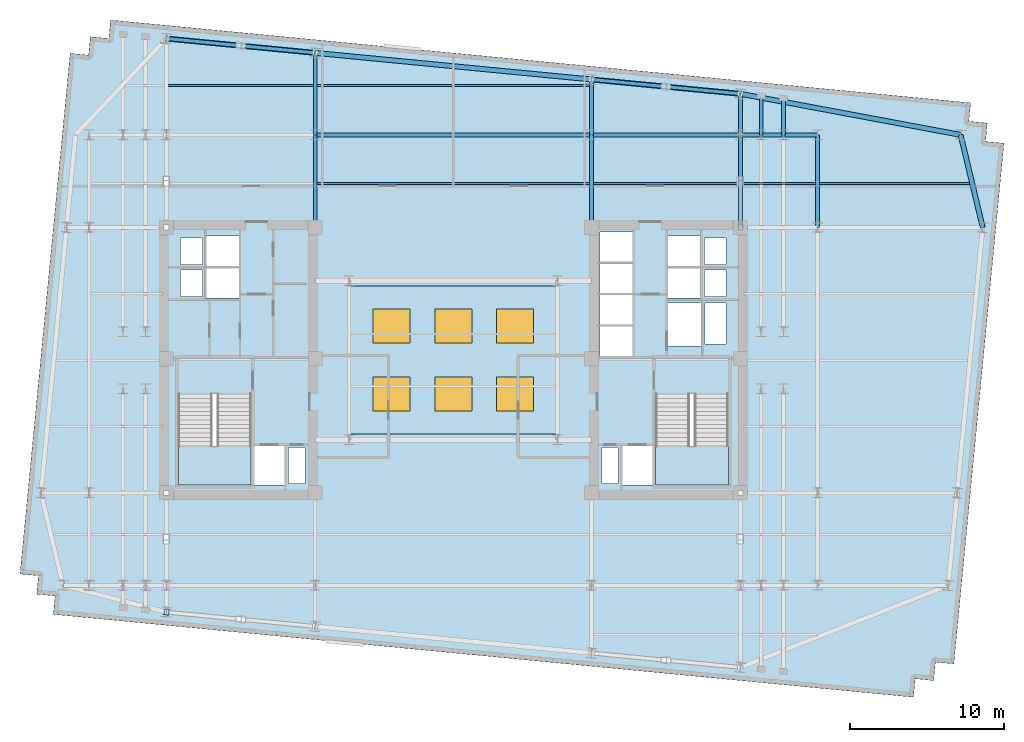
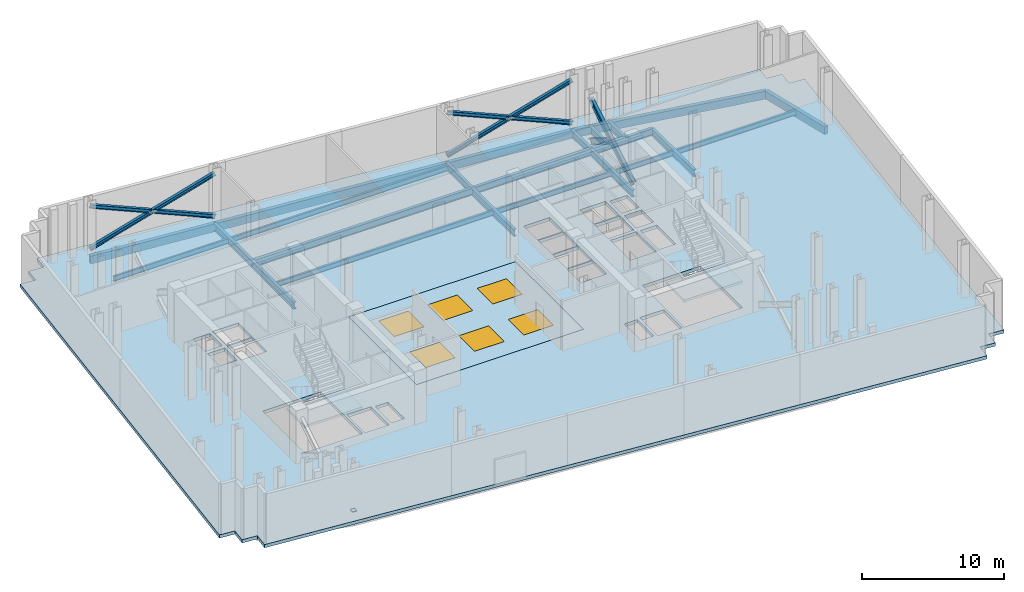
# One storey, part 3 of 8: 23 beams, 8 members, 6 windows, 4 slabs, 1 plate, 6 openings, 2 elements without a shape of their own.
"""IFC4 building model written with IfcOpenShell, lengths in metres."""

from ifc_helpers import new_model, si_unit, direction, frame, origin, origin_2d, place, context, subcontext, project, spatial, polyline, rectangle, i_section, outline, extrude, material, layer, layer_set, material_profile, profile_set, type_object, element, fill, aggregate, save


model = new_model("IFC4")

# Units and contexts
model_context = context("Model", 3, precision=1e-05, world=origin(), true_north=direction((0.0, 1.0)))
body_context = subcontext(model_context, "Body", "Model", "MODEL_VIEW")
ifc_project = project(units=[si_unit("LENGTHUNIT", "METRE"), si_unit("AREAUNIT", "SQUARE_METRE"), si_unit("VOLUMEUNIT", "CUBIC_METRE"), si_unit("PLANEANGLEUNIT", "RADIAN"), si_unit("MASSUNIT", "GRAM", prefix="KILO")], contexts=[model_context])

# Site, building, storey
site_placement = place(None, origin())
site = spatial("IfcSite", under=ifc_project, at=site_placement, CompositionType="ELEMENT")
building_placement = place(site_placement, origin())
building = spatial("IfcBuilding", under=site, at=building_placement, Name="Velakula Bourse", CompositionType="ELEMENT")
storey_placement = place(building_placement, frame((0.0, 0.0, 194.89990234375)))
storey = spatial("IfcBuildingStorey", under=building, at=storey_placement, Name="L53", CompositionType="ELEMENT", Elevation=194.89990234375)

# Beams
ifc_material_1 = material(Name="Steel IS 2062 Grade 350 (E350)", Category="steel")
ifc_material_profile_1 = material_profile(ifc_material_1, i_section(OverallWidth=0.25, OverallDepth=0.60009765625, WebThickness=0.01123046875, FlangeThickness=0.021240234375, at=origin_2d()), Name="Steel IS 2062 Grade 350 (E350)")
ifc_profile_set_1 = profile_set([ifc_material_profile_1], Name="Steel IS 2062 Grade 350 (E350)")
beam_type_1 = type_object("IfcBeamType", Name="BM-GRD-600M", PredefinedType="BEAM", material=ifc_profile_set_1)
for number, where, z_axis, x_axis, name in (
    (1, (-8.949951171875, 8.60009765625, -0.579833984375), (0.0, 1.0, 0.0), (-1.0, 0.0, 0.0), "L53 Fulcrum Grid Girder FLC-WCN"),
    (2, (8.949951171875, 8.60009765625, -0.579833984375), (0.0, 1.0, 0.0), (-1.0, 0.0, 0.0), "L53 Fulcrum Grid Girder FLC-ECN"),
    (3, (18.60009765625, 8.60009765625, -0.579833984375), (0.0, 1.0, 0.0), (-1.0, 0.0, 0.0), "L53 Fulcrum Grid Girder FLC-EN"),
):
    element("IfcBeam", number, at=place(storey_placement, frame(where, z_axis=z_axis, x_axis=x_axis)), inside=storey, type_object=beam_type_1, Name=name, PredefinedType="BEAM", context=body_context, shape_type="SweptSolid", body=[
        extrude(i_section(OverallWidth=0.25, OverallDepth=0.60009765625, WebThickness=0.01123046875, FlangeThickness=0.021240234375, at=origin_2d()), origin(), (0.0, 0.0, 1.0), 6.0),
    ])
beam_1_placement = place(storey_placement, frame((-8.949951171875, 14.60009765625, -0.579833984375), z_axis=(1.0, 0.0, 0.0), x_axis=(0.0, 1.0, 0.0)))
element("IfcBeam", 4, at=beam_1_placement, inside=storey, type_object=beam_type_1, Name="L53 Fulcrum Grid Girder FLC-N2", PredefinedType="BEAM", context=body_context, shape_type="SweptSolid", body=[
    extrude(i_section(OverallWidth=0.25, OverallDepth=0.60009765625, WebThickness=0.01123046875, FlangeThickness=0.021240234375, at=origin_2d()), origin(), (0.0, 0.0, 1.0), 17.89990234375),
])
beam_2_placement = place(storey_placement, frame((8.949951171875, 14.60009765625, -0.579833984375), z_axis=(1.0, 0.0, 0.0), x_axis=(0.0, 1.0, 0.0)))
element("IfcBeam", 5, at=beam_2_placement, inside=storey, type_object=beam_type_1, Name="L53 Fulcrum Grid Girder FLC-N3", PredefinedType="BEAM", context=body_context, shape_type="SweptSolid", body=[
    extrude(i_section(OverallWidth=0.25, OverallDepth=0.60009765625, WebThickness=0.01123046875, FlangeThickness=0.021240234375, at=origin_2d()), origin(), (0.0, 0.0, 1.0), 9.650146484375),
])
beam_3_placement = place(storey_placement, frame((18.60009765625, 14.60009765625, -0.579833984375), z_axis=(1.0, 0.0, 0.0), x_axis=(0.0, 1.0, 0.0)))
element("IfcBeam", 6, at=beam_3_placement, inside=storey, type_object=beam_type_1, Name="L53 Fulcrum Grid Girder MWG-EN2", PredefinedType="BEAM", context=body_context, shape_type="SweptSolid", body=[
    extrude(i_section(OverallWidth=0.25, OverallDepth=0.60009765625, WebThickness=0.01123046875, FlangeThickness=0.021240234375, at=origin_2d()), origin(), (0.0, 0.0, 1.0), 5.0),
])
beam_4_placement = place(storey_placement, frame((23.60009765625, 8.60009765625, -0.579833984375), z_axis=(0.0, 1.0, 0.0), x_axis=(-1.0, 0.0, 0.0)))
element("IfcBeam", 7, at=beam_4_placement, inside=storey, type_object=beam_type_1, Name="L53 Fulcrum Grid Girder MWG-ENS3", PredefinedType="BEAM", context=body_context, shape_type="SweptSolid", body=[
    extrude(i_section(OverallWidth=0.25, OverallDepth=0.60009765625, WebThickness=0.01123046875, FlangeThickness=0.021240234375, at=origin_2d()), origin(), (0.0, 0.0, 1.0), 6.0),
])
beam_5_placement = place(storey_placement, frame((-8.949951171875, 14.60009765625, -0.579833984375), z_axis=(0.0, 1.0, 0.0), x_axis=(-1.0, 0.0, 0.0)))
element("IfcBeam", 8, at=beam_5_placement, inside=storey, type_object=beam_type_1, Name="L53 Perimeter Tie Girder N2", PredefinedType="BEAM", context=body_context, shape_type="SweptSolid", body=[
    extrude(i_section(OverallWidth=0.25, OverallDepth=0.60009765625, WebThickness=0.01123046875, FlangeThickness=0.021240234375, at=origin_2d()), origin(), (0.0, 0.0, 1.0), 5.31298828125),
])
beam_6_placement = place(storey_placement, frame((8.949951171875, 14.60009765625, -0.579833984375), z_axis=(0.0, 1.0, 0.0), x_axis=(-1.0, 0.0, 0.0)))
element("IfcBeam", 9, at=beam_6_placement, inside=storey, type_object=beam_type_1, Name="L53 Perimeter Tie Girder N3", PredefinedType="BEAM", context=body_context, shape_type="SweptSolid", body=[
    extrude(i_section(OverallWidth=0.25, OverallDepth=0.60009765625, WebThickness=0.01123046875, FlangeThickness=0.021240234375, at=origin_2d()), origin(), (0.0, 0.0, 1.0), 3.589599609375),
])
beam_7_placement = place(storey_placement, frame((18.60009765625, 14.60009765625, -0.579833984375), z_axis=(0.0, 1.0, 0.0), x_axis=(-1.0, 0.0, 0.0)))
element("IfcBeam", 10, at=beam_7_placement, inside=storey, type_object=beam_type_1, Name="L53 Perimeter Tie Girder N4", PredefinedType="BEAM", context=body_context, shape_type="SweptSolid", body=[
    extrude(i_section(OverallWidth=0.25, OverallDepth=0.60009765625, WebThickness=0.01123046875, FlangeThickness=0.021240234375, at=origin_2d()), origin(), (0.0, 0.0, 1.0), 2.660400390625),
])
beam_8_placement = place(storey_placement, frame((19.949951171875, 14.60009765625, -0.579833984375), z_axis=(0.0, 1.0, 0.0), x_axis=(-1.0, 0.0, 0.0)))
element("IfcBeam", 11, at=beam_8_placement, inside=storey, type_object=beam_type_1, Name="L53 Perimeter Tie Girder P07", PredefinedType="BEAM", context=body_context, shape_type="SweptSolid", body=[
    extrude(i_section(OverallWidth=0.25, OverallDepth=0.60009765625, WebThickness=0.01123046875, FlangeThickness=0.021240234375, at=origin_2d()), origin(), (0.0, 0.0, 1.0), 2.530517578125),
])
beam_9_placement = place(storey_placement, frame((21.39990234375, 14.60009765625, -0.579833984375), z_axis=(0.0, 1.0, 0.0), x_axis=(-1.0, 0.0, 0.0)))
element("IfcBeam", 12, at=beam_9_placement, inside=storey, type_object=beam_type_1, Name="L53 Perimeter Tie Girder P08", PredefinedType="BEAM", context=body_context, shape_type="SweptSolid", body=[
    extrude(i_section(OverallWidth=0.25, OverallDepth=0.60009765625, WebThickness=0.01123046875, FlangeThickness=0.021240234375, at=origin_2d()), origin(), (0.0, 0.0, 1.0), 2.390869140625),
])

# Members
ifc_material_profile_2 = material_profile(ifc_material_1, i_section(OverallWidth=0.25, OverallDepth=0.300048828125, WebThickness=0.009521484375, FlangeThickness=0.010498046875, at=origin_2d()), Name="Steel IS 2062 Grade 350 (E350)")
ifc_profile_set_2 = profile_set([ifc_material_profile_2], Name="Steel IS 2062 Grade 350 (E350)")
member_type_1 = type_object("IfcMemberType", Name="BR-BLT-300", PredefinedType="BRACE", material=ifc_profile_set_2)
member_1_placement = place(storey_placement, frame((-18.60009765625, 20.84228515625, 0.300048828125), z_axis=(0.930920935932, -0.089637085591, 0.35405000202), x_axis=(0.095845323155, 0.99539623971, 0.0)))
element("IfcMember", 13, at=member_1_placement, inside=storey, type_object=member_type_1, Name="L53 Continuous Outrigger and Belt X-Brace BT-N1", PredefinedType="BRACE", context=body_context, shape_type="SweptSolid", body=[
    extrude(i_section(OverallWidth=0.25, OverallDepth=0.300048828125, WebThickness=0.009521484375, FlangeThickness=0.010498046875, at=origin_2d()), origin(), (0.0, 0.0, 1.0), 10.3662109375),
])
for number, where, z_axis, x_axis, name in (
    (14, (-8.949951171875, 19.9130859375, 0.300048828125), (-0.930928983109, 0.08965577102, 0.354024110945), (-0.095864298069, -0.99539441246, 0.0), "L53 Split X-Brace Lower Segment BT-N2A"),
    (15, (-13.9052734375, 20.390380859375, 2.1845703125), (-0.930917067001, 0.089606213781, 0.354067988978), (-0.095813010804, -0.995399350492, 0.0), "L53 Split X-Brace Upper Segment BT-N2B"),
):
    element("IfcMember", number, at=place(storey_placement, frame(where, z_axis=z_axis, x_axis=x_axis)), inside=storey, type_object=member_type_1, Name=name, PredefinedType="BRACE", context=body_context, shape_type="SweptSolid", body=[
        extrude(i_section(OverallWidth=0.25, OverallDepth=0.300048828125, WebThickness=0.009521484375, FlangeThickness=0.010498046875, at=origin_2d()), origin(), (0.0, 0.0, 1.0), 5.043212890625),
    ])
member_2_placement = place(storey_placement, frame((8.949951171875, 18.189697265625, 0.300048828125), z_axis=(0.930920935932, -0.089637085591, 0.35405000202), x_axis=(0.095845323155, 0.99539623971, 0.0)))
element("IfcMember", 16, at=member_2_placement, inside=storey, type_object=member_type_1, Name="L53 Continuous Outrigger and Belt X-Brace BT-N3", PredefinedType="BRACE", context=body_context, shape_type="SweptSolid", body=[
    extrude(i_section(OverallWidth=0.25, OverallDepth=0.300048828125, WebThickness=0.009521484375, FlangeThickness=0.010498046875, at=origin_2d()), origin(), (0.0, 0.0, 1.0), 10.3662109375),
])
for number, where, z_axis, x_axis, name in (
    (17, (18.60009765625, 17.260498046875, 0.300048828125), (-0.930928983109, 0.08965577102, 0.354024110945), (-0.095864298069, -0.99539441246, 0.0), "L53 Split X-Brace Lower Segment BT-N4A"),
    (18, (13.644775390625, 17.737548828125, 2.1845703125), (-0.930913027801, 0.089654234399, 0.354066452696), (-0.095864298069, -0.99539441246, 0.0), "L53 Split X-Brace Upper Segment BT-N4B"),
):
    element("IfcMember", number, at=place(storey_placement, frame(where, z_axis=z_axis, x_axis=x_axis)), inside=storey, type_object=member_type_1, Name=name, PredefinedType="BRACE", context=body_context, shape_type="SweptSolid", body=[
        extrude(i_section(OverallWidth=0.25, OverallDepth=0.300048828125, WebThickness=0.009521484375, FlangeThickness=0.010498046875, at=origin_2d()), origin(), (0.0, 0.0, 1.0), 5.043212890625),
    ])
ifc_material_profile_3 = material_profile(ifc_material_1, i_section(OverallWidth=0.25, OverallDepth=0.449951171875, WebThickness=0.01123046875, FlangeThickness=0.013671875, at=origin_2d()), Name="Steel IS 2062 Grade 350 (E350)")
ifc_profile_set_3 = profile_set([ifc_material_profile_3], Name="Steel IS 2062 Grade 350 (E350)")
member_type_2 = type_object("IfcMemberType", Name="BR-OTR-450", PredefinedType="BRACE", material=ifc_profile_set_3)
member_3_placement = place(storey_placement, frame((18.60009765625, 8.60009765625, 0.300048828125), z_axis=(0.0, 0.853060385643, 0.521812206111), x_axis=(-1.0, 0.0, 0.0)))
element("IfcMember", 19, at=member_3_placement, inside=storey, type_object=member_type_2, Name="L53 Continuous Outrigger and Belt X-Brace OT-NS7", PredefinedType="BRACE", context=body_context, shape_type="SweptSolid", body=[
    extrude(i_section(OverallWidth=0.25, OverallDepth=0.449951171875, WebThickness=0.01123046875, FlangeThickness=0.013671875, at=origin_2d()), origin(), (0.0, 0.0, 1.0), 7.033447265625),
])
member_4_placement = place(storey_placement, frame((18.60009765625, 14.60009765625, 0.300048828125), z_axis=(0.0, -0.853072662482, 0.521792135362), x_axis=(1.0, 0.0, 0.0)))
element("IfcMember", 20, at=member_4_placement, inside=storey, type_object=member_type_2, Name="L53 Split X-Brace Lower Segment OT-NS8A", PredefinedType="BRACE", context=body_context, shape_type="SweptSolid", body=[
    extrude(i_section(OverallWidth=0.25, OverallDepth=0.449951171875, WebThickness=0.01123046875, FlangeThickness=0.013671875, at=origin_2d()), origin(), (0.0, 0.0, 1.0), 3.376708984375),
])

# Beams
ifc_material_profile_4 = material_profile(ifc_material_1, i_section(OverallWidth=0.14990234375, OverallDepth=0.449951171875, WebThickness=0.009521484375, FlangeThickness=0.017333984375, at=origin_2d()), Name="Steel IS 2062 Grade 350 (E350)")
ifc_profile_set_4 = profile_set([ifc_material_profile_4], Name="Steel IS 2062 Grade 350 (E350)")
beam_type_2 = type_object("IfcBeamType", Name="JST-TWR-450", PredefinedType="JOIST", material=ifc_profile_set_4)
beam_10_placement = place(storey_placement, frame((-8.824951171875, 11.449951171875, -0.5048828125), z_axis=(1.0, 0.0, 0.0), x_axis=(0.0, 1.0, 0.0)))
element("IfcBeam", 21, at=beam_10_placement, inside=storey, type_object=beam_type_2, Name="L53 Trading Floor Composite Joist 13", PredefinedType="JOIST", context=body_context, shape_type="SweptSolid", body=[
    extrude(i_section(OverallWidth=0.14990234375, OverallDepth=0.449951171875, WebThickness=0.009521484375, FlangeThickness=0.017333984375, at=origin_2d()), origin(), (0.0, 0.0, 1.0), 17.64990234375),
])
beam_11_placement = place(storey_placement, frame((9.074951171875, 11.449951171875, -0.5048828125), z_axis=(1.0, 0.0, 0.0), x_axis=(0.0, 1.0, 0.0)))
element("IfcBeam", 22, at=beam_11_placement, inside=storey, type_object=beam_type_2, Name="L53 Trading Floor Composite Joist 14", PredefinedType="JOIST", context=body_context, shape_type="SweptSolid", body=[
    extrude(i_section(OverallWidth=0.14990234375, OverallDepth=0.449951171875, WebThickness=0.009521484375, FlangeThickness=0.017333984375, at=origin_2d()), origin(), (0.0, 0.0, 1.0), 9.400146484375),
])
beam_12_placement = place(storey_placement, frame((18.72509765625, 11.449951171875, -0.5048828125), z_axis=(1.0, 0.0, 0.0), x_axis=(0.0, 1.0, 0.0)))
element("IfcBeam", 23, at=beam_12_placement, inside=storey, type_object=beam_type_2, Name="L53 Trading Floor Composite Joist 15", PredefinedType="JOIST", context=body_context, shape_type="SweptSolid", body=[
    extrude(i_section(OverallWidth=0.14990234375, OverallDepth=0.449951171875, WebThickness=0.009521484375, FlangeThickness=0.017333984375, at=origin_2d()), origin(), (0.0, 0.0, 1.0), 4.75),
])
beam_13_placement = place(storey_placement, frame((23.72509765625, 11.449951171875, -0.5048828125), z_axis=(1.0, 0.0, 0.0), x_axis=(0.0, 1.0, 0.0)))
element("IfcBeam", 24, at=beam_13_placement, inside=storey, type_object=beam_type_2, Name="L53 Trading Floor Composite Joist 16", PredefinedType="JOIST", context=body_context, shape_type="SweptSolid", body=[
    extrude(i_section(OverallWidth=0.14990234375, OverallDepth=0.449951171875, WebThickness=0.009521484375, FlangeThickness=0.017333984375, at=origin_2d()), origin(), (0.0, 0.0, 1.0), 9.735595703125),
])
beam_14_placement = place(storey_placement, frame((-18.47509765625, 17.800048828125, -0.5048828125), z_axis=(1.0, 0.0, 0.0), x_axis=(0.0, 1.0, 0.0)))
element("IfcBeam", 25, at=beam_14_placement, inside=storey, type_object=beam_type_2, Name="L53 Trading Floor Composite Joist 18", PredefinedType="JOIST", context=body_context, shape_type="SweptSolid", body=[
    extrude(i_section(OverallWidth=0.14990234375, OverallDepth=0.449951171875, WebThickness=0.009521484375, FlangeThickness=0.017333984375, at=origin_2d()), origin(), (0.0, 0.0, 1.0), 9.400146484375),
])
beam_15_placement = place(storey_placement, frame((-8.824951171875, 17.800048828125, -0.5048828125), z_axis=(1.0, 0.0, 0.0), x_axis=(0.0, 1.0, 0.0)))
element("IfcBeam", 26, at=beam_15_placement, inside=storey, type_object=beam_type_2, Name="L53 Trading Floor Composite Joist 19", PredefinedType="JOIST", context=body_context, shape_type="SweptSolid", body=[
    extrude(i_section(OverallWidth=0.14990234375, OverallDepth=0.449951171875, WebThickness=0.009521484375, FlangeThickness=0.017333984375, at=origin_2d()), origin(), (0.0, 0.0, 1.0), 17.64990234375),
])
ifc_material_2 = material(Name="Precast concrete M45 (fck 45 MPa)", Category="concrete")
ifc_material_profile_5 = material_profile(ifc_material_2, rectangle(XDim=0.320068359375, YDim=0.679931640625, at=origin_2d()), Name="Precast concrete M45 (fck 45 MPa)")
ifc_profile_set_5 = profile_set([ifc_material_profile_5], Name="Precast concrete M45 (fck 45 MPa)")
beam_type_3 = type_object("IfcBeamType", Name="SPN-BRICK-680", PredefinedType="SPANDREL", material=ifc_profile_set_5)
beam_16_placement = place(storey_placement, frame((-18.60009765625, 20.84228515625, -0.619873046875), z_axis=(0.99539623971, -0.095845323155, 0.0), x_axis=(0.095845323155, 0.99539623971, 0.0)))
element("IfcBeam", 27, at=beam_16_placement, inside=storey, type_object=beam_type_3, Name="L53 Brick-Faced Precast Spandrel N1-N2", PredefinedType="SPANDREL", context=body_context, shape_type="SweptSolid", body=[
    extrude(rectangle(XDim=0.320068359375, YDim=0.679931640625, at=origin_2d()), origin(), (0.0, 0.0, 1.0), 9.69482421875),
])
beam_17_placement = place(storey_placement, frame((-8.949951171875, 19.9130859375, -0.619873046875), z_axis=(0.995397131467, -0.095836061418, 0.0), x_axis=(0.095836061418, 0.995397131467, 0.0)))
element("IfcBeam", 28, at=beam_17_placement, inside=storey, type_object=beam_type_3, Name="L53 Brick-Faced Precast Spandrel N2-N3", PredefinedType="SPANDREL", context=body_context, shape_type="SweptSolid", body=[
    extrude(rectangle(XDim=0.320068359375, YDim=0.679931640625, at=origin_2d()), origin(), (0.0, 0.0, 1.0), 17.982666015625),
])
beam_18_placement = place(storey_placement, frame((8.949951171875, 18.189697265625, -0.619873046875), z_axis=(0.99539623971, -0.095845323155, 0.0), x_axis=(0.095845323155, 0.99539623971, 0.0)))
element("IfcBeam", 29, at=beam_18_placement, inside=storey, type_object=beam_type_3, Name="L53 Brick-Faced Precast Spandrel N3-N4", PredefinedType="SPANDREL", context=body_context, shape_type="SweptSolid", body=[
    extrude(rectangle(XDim=0.320068359375, YDim=0.679931640625, at=origin_2d()), origin(), (0.0, 0.0, 1.0), 9.69482421875),
])
beam_19_placement = place(storey_placement, frame((34.30517578125, 8.60009765625, -0.619873046875), z_axis=(-0.232091371601, 0.972693988482, 0.0), x_axis=(-0.972693988482, -0.232091371601, 0.0)))
element("IfcBeam", 30, at=beam_19_placement, inside=storey, type_object=beam_type_3, Name="L53 Brick-Faced Precast Spandrel E3-E4", PredefinedType="SPANDREL", context=body_context, shape_type="SweptSolid", body=[
    extrude(rectangle(XDim=0.320068359375, YDim=0.679931640625, at=origin_2d()), origin(), (0.0, 0.0, 1.0), 6.16845703125),
])
beam_20_placement = place(storey_placement, frame((32.87353515625, 14.60009765625, -0.619873046875), z_axis=(-0.983069592122, 0.183232576378, 0.0), x_axis=(-0.183232576378, -0.983069592122, 0.0)))
element("IfcBeam", 31, at=beam_20_placement, inside=storey, type_object=beam_type_3, Name="L53 Brick-Faced Precast Spandrel E4-N4", PredefinedType="SPANDREL", context=body_context, shape_type="SweptSolid", body=[
    extrude(rectangle(XDim=0.320068359375, YDim=0.679931640625, at=origin_2d()), origin(), (0.0, 0.0, 1.0), 14.519287109375),
])

# Plate
ifc_layer_1 = layer(ifc_material_1, 0.0400390625, Name="Steel IS 2062 Grade 350 (E350)", Category="steel")
ifc_layer_set_1 = layer_set([ifc_layer_1], Name="Steel IS 2062 Grade 350 (E350)")
plate_type = type_object("IfcPlateType", Name="PLT-ENDCAP-340", PredefinedType="USERDEFINED", material=ifc_layer_set_1)
plate_placement = place(storey_placement, frame((-18.5888671875, -16.329833984375, 0.284423828125), z_axis=(0.0, 0.0, 1.0), x_axis=(0.995396198367, -0.09584575252, 0.0)))
element("IfcPlate", 32, at=plate_placement, inside=storey, type_object=plate_type, Name="L53 Continuous Outrigger and Belt X-Brace BT-S1 hollow end cap plate 1", ObjectType="GUSSET PLATE", PredefinedType="USERDEFINED", context=body_context, shape_type="SweptSolid", body=[
    extrude(rectangle(XDim=0.340087890625, YDim=0.340087890625, at=origin_2d()), origin(), (0.0, 0.0, 1.0), 0.0400390625),
])

# Slab, openings, windows
ifc_material_3 = material(Name="Concrete M50 (fck 50 MPa)", Category="concrete")
ifc_layer_2 = layer(ifc_material_3, 0.260009765625, Name="Concrete M50 (fck 50 MPa)", Category="concrete")
ifc_layer_set_2 = layer_set([ifc_layer_2], Name="Concrete M50 (fck 50 MPa)")
slab_type_1 = type_object("IfcSlabType", Name="SLB-ATRIUM-CAP-260", PredefinedType="ROOF", material=ifc_layer_set_2)
slab_1_placement = place(storey_placement, frame((0.0, 0.0, -0.260009765625)))
slab_1 = element("IfcSlab", 33, at=slab_1_placement, inside=storey, type_object=slab_type_1, Name="L52 Central Trading Atrium Skylight Cap Roof Slab", PredefinedType="ROOF", context=body_context, shape_type="SweptSolid", body=[
    extrude(outline(polyline([(-6.800048828125, -4.800048828125), (6.800048828125, -4.800048828125), (6.800048828125, 4.800048828125), (-6.800048828125, 4.800048828125), (-6.800048828125, -4.800048828125)])), origin(), (0.0, 0.0, 1.0), 0.260009765625),
])
opening_1_placement = place(slab_1_placement, frame((-4.0, -2.199951171875, -0.010009765625)))
opening_1 = element("IfcOpeningElement", 34, at=opening_1_placement, cuts=slab_1, Name="Opening WH-AT1", PredefinedType="OPENING", context=body_context, shape_type="SweptSolid", body=[
    extrude(rectangle(XDim=2.39990234375, YDim=2.199951171875, at=origin_2d()), origin(), (0.0, 0.0, 1.0), 0.280029296875),
])
opening_2_placement = place(slab_1_placement, frame((0.0, -2.199951171875, -0.010009765625)))
opening_2 = element("IfcOpeningElement", 35, at=opening_2_placement, cuts=slab_1, Name="Opening WH-AT2", PredefinedType="OPENING", context=body_context, shape_type="SweptSolid", body=[
    extrude(rectangle(XDim=2.39990234375, YDim=2.199951171875, at=origin_2d()), origin(), (0.0, 0.0, 1.0), 0.280029296875),
])
opening_3_placement = place(slab_1_placement, frame((4.0, -2.199951171875, -0.010009765625)))
opening_3 = element("IfcOpeningElement", 36, at=opening_3_placement, cuts=slab_1, Name="Opening WH-AT3", PredefinedType="OPENING", context=body_context, shape_type="SweptSolid", body=[
    extrude(rectangle(XDim=2.39990234375, YDim=2.199951171875, at=origin_2d()), origin(), (0.0, 0.0, 1.0), 0.280029296875),
])
opening_4_placement = place(slab_1_placement, frame((-4.0, 2.199951171875, -0.010009765625)))
opening_4 = element("IfcOpeningElement", 37, at=opening_4_placement, cuts=slab_1, Name="Opening WH-AT4", PredefinedType="OPENING", context=body_context, shape_type="SweptSolid", body=[
    extrude(rectangle(XDim=2.39990234375, YDim=2.199951171875, at=origin_2d()), origin(), (0.0, 0.0, 1.0), 0.280029296875),
])
opening_5_placement = place(slab_1_placement, frame((0.0, 2.199951171875, -0.010009765625)))
opening_5 = element("IfcOpeningElement", 38, at=opening_5_placement, cuts=slab_1, Name="Opening WH-AT5", PredefinedType="OPENING", context=body_context, shape_type="SweptSolid", body=[
    extrude(rectangle(XDim=2.39990234375, YDim=2.199951171875, at=origin_2d()), origin(), (0.0, 0.0, 1.0), 0.280029296875),
])
opening_6_placement = place(slab_1_placement, frame((4.0, 2.199951171875, -0.010009765625)))
opening_6 = element("IfcOpeningElement", 39, at=opening_6_placement, cuts=slab_1, Name="Opening WH-AT6", PredefinedType="OPENING", context=body_context, shape_type="SweptSolid", body=[
    extrude(rectangle(XDim=2.39990234375, YDim=2.199951171875, at=origin_2d()), origin(), (0.0, 0.0, 1.0), 0.280029296875),
])
ifc_material_4 = material(Name="Double-glazed solar-control Low-E glass", Category="glass")
window_type = type_object("IfcWindowType", Name="SKL-ATR-2400x2200", PartitioningType="SINGLE_PANEL", PredefinedType="SKYLIGHT", material=ifc_material_4)
window_1_placement = place(slab_1_placement, frame((-4.0, -2.199951171875, 0.2099609375)))
window_1 = element("IfcWindow", 40, at=window_1_placement, inside=storey, type_object=window_type, Name="Central Trading Atrium Rooflight WH-AT1", OverallHeight=2.199951171875, OverallWidth=2.39990234375, PartitioningType="SINGLE_PANEL", PredefinedType="SKYLIGHT", context=body_context, shape_type="SweptSolid", body=[
    extrude(rectangle(XDim=2.39990234375, YDim=2.199951171875, at=origin_2d()), origin(), (0.0, 0.0, 1.0), 0.050048828125),
])
fill(opening_1, window_1)
window_2_placement = place(slab_1_placement, frame((0.0, -2.199951171875, 0.2099609375)))
window_2 = element("IfcWindow", 41, at=window_2_placement, inside=storey, type_object=window_type, Name="Central Trading Atrium Rooflight WH-AT2", OverallHeight=2.199951171875, OverallWidth=2.39990234375, PartitioningType="SINGLE_PANEL", PredefinedType="SKYLIGHT", context=body_context, shape_type="SweptSolid", body=[
    extrude(rectangle(XDim=2.39990234375, YDim=2.199951171875, at=origin_2d()), origin(), (0.0, 0.0, 1.0), 0.050048828125),
])
fill(opening_2, window_2)
window_3_placement = place(slab_1_placement, frame((4.0, -2.199951171875, 0.2099609375)))
window_3 = element("IfcWindow", 42, at=window_3_placement, inside=storey, type_object=window_type, Name="Central Trading Atrium Rooflight WH-AT3", OverallHeight=2.199951171875, OverallWidth=2.39990234375, PartitioningType="SINGLE_PANEL", PredefinedType="SKYLIGHT", context=body_context, shape_type="SweptSolid", body=[
    extrude(rectangle(XDim=2.39990234375, YDim=2.199951171875, at=origin_2d()), origin(), (0.0, 0.0, 1.0), 0.050048828125),
])
fill(opening_3, window_3)
window_4_placement = place(slab_1_placement, frame((-4.0, 2.199951171875, 0.2099609375)))
window_4 = element("IfcWindow", 43, at=window_4_placement, inside=storey, type_object=window_type, Name="Central Trading Atrium Rooflight WH-AT4", OverallHeight=2.199951171875, OverallWidth=2.39990234375, PartitioningType="SINGLE_PANEL", PredefinedType="SKYLIGHT", context=body_context, shape_type="SweptSolid", body=[
    extrude(rectangle(XDim=2.39990234375, YDim=2.199951171875, at=origin_2d()), origin(), (0.0, 0.0, 1.0), 0.050048828125),
])
fill(opening_4, window_4)
window_5_placement = place(slab_1_placement, frame((0.0, 2.199951171875, 0.2099609375)))
window_5 = element("IfcWindow", 44, at=window_5_placement, inside=storey, type_object=window_type, Name="Central Trading Atrium Rooflight WH-AT5", OverallHeight=2.199951171875, OverallWidth=2.39990234375, PartitioningType="SINGLE_PANEL", PredefinedType="SKYLIGHT", context=body_context, shape_type="SweptSolid", body=[
    extrude(rectangle(XDim=2.39990234375, YDim=2.199951171875, at=origin_2d()), origin(), (0.0, 0.0, 1.0), 0.050048828125),
])
fill(opening_5, window_5)
window_6_placement = place(slab_1_placement, frame((4.0, 2.199951171875, 0.2099609375)))
window_6 = element("IfcWindow", 45, at=window_6_placement, inside=storey, type_object=window_type, Name="Central Trading Atrium Rooflight WH-AT6", OverallHeight=2.199951171875, OverallWidth=2.39990234375, PartitioningType="SINGLE_PANEL", PredefinedType="SKYLIGHT", context=body_context, shape_type="SweptSolid", body=[
    extrude(rectangle(XDim=2.39990234375, YDim=2.199951171875, at=origin_2d()), origin(), (0.0, 0.0, 1.0), 0.050048828125),
])
fill(opening_6, window_6)

# Stair, slab
ifc_material_5 = material(Name="Concrete M45 (fck 45 MPa)", Category="concrete")
stair_type = type_object("IfcStairType", Name="STR-DOG-480", PredefinedType="HALF_TURN_STAIR", material=ifc_material_5)
stair_1_placement = place(storey_placement, origin())
stair_1 = element("IfcStair", 46, at=stair_1_placement, inside=storey, type_object=stair_type, Name="L53 West Core Exit Stair ST-W1", PredefinedType="HALF_TURN_STAIR")
ifc_layer_3 = layer(ifc_material_5, 0.199951171875, Name="Concrete M45 (fck 45 MPa)", Category="concrete")
ifc_layer_set_3 = layer_set([ifc_layer_3], Name="Concrete M45 (fck 45 MPa)")
slab_type_2 = type_object("IfcSlabType", Name="SLB-STAIR-LND-200", PredefinedType="LANDING", material=ifc_layer_set_3)
slab_2_placement = place(storey_placement, frame((0.0, 0.0, 2.10009765625)))
slab_2 = element("IfcSlab", 47, at=slab_2_placement, type_object=slab_type_2, Name="ST-W1 landing 1", PredefinedType="LANDING", context=body_context, shape_type="SweptSolid", body=[
    extrude(outline(polyline([(-17.820068359375, -5.56005859375), (-17.820068359375, -8.10009765625), (-13.10009765625, -8.10009765625), (-13.10009765625, -5.56005859375), (-17.820068359375, -5.56005859375)])), origin(), (0.0, 0.0, 1.0), 0.199951171875),
])
aggregate(stair_1, [slab_2])

stair_2_placement = place(storey_placement, origin())
stair_2 = element("IfcStair", 48, at=stair_2_placement, inside=storey, type_object=stair_type, Name="L53 East Core Exit Stair ST-E1", PredefinedType="HALF_TURN_STAIR")
slab_3_placement = place(storey_placement, frame((0.0, 0.0, 2.10009765625)))
slab_3 = element("IfcSlab", 49, at=slab_3_placement, type_object=slab_type_2, Name="ST-E1 landing 1", PredefinedType="LANDING", context=body_context, shape_type="SweptSolid", body=[
    extrude(outline(polyline([(13.10009765625, -5.56005859375), (13.10009765625, -8.10009765625), (17.820068359375, -8.10009765625), (17.820068359375, -5.56005859375), (13.10009765625, -5.56005859375)])), origin(), (0.0, 0.0, 1.0), 0.199951171875),
])
aggregate(stair_2, [slab_3])

# Slab
ifc_layer_4 = layer(ifc_material_3, 0.280029296875, Name="Concrete M50 (fck 50 MPa)", Category="concrete")
ifc_layer_set_4 = layer_set([ifc_layer_4], Name="Concrete M50 (fck 50 MPa)")
slab_type_3 = type_object("IfcSlabType", Name="SLB-TRF-280", PredefinedType="FLOOR", material=ifc_layer_set_4)
slab_4_placement = place(storey_placement, frame((0.0, 0.0, -0.27978515625)))
element("IfcSlab", 50, at=slab_4_placement, inside=storey, type_object=slab_type_3, Name="L53 Suspended Structural Floor Slab", PredefinedType="FLOOR", context=body_context, shape_type="SweptSolid", body=[
    extrude(outline(polyline([(-25.92578125, -16.477294921875), (29.81640625, -21.844482421875), (29.931396484375, -20.650146484375), (31.1259765625, -20.76513671875), (31.240966796875, -19.570556640625), (32.435546875, -19.685791015625), (35.6845703125, 14.058349609375), (34.490234375, 14.17333984375), (34.605224609375, 15.36767578125), (33.41064453125, 15.482666015625), (33.525634765625, 16.67724609375), (-22.216552734375, 22.044677734375), (-22.33154296875, 20.85009765625), (-23.52587890625, 20.965087890625), (-23.640869140625, 19.770751953125), (-24.83544921875, 19.8857421875), (-28.084716796875, -13.858154296875), (-26.89013671875, -13.973388671875), (-27.005126953125, -15.167724609375), (-25.810791015625, -15.28271484375), (-25.92578125, -16.477294921875)]), holes=[polyline([(-17.820068359375, -8.10009765625), (-13.10009765625, -8.10009765625), (-13.10009765625, -2.199951171875), (-17.820068359375, -2.199951171875), (-17.820068359375, -8.10009765625)]), polyline([(13.10009765625, -8.10009765625), (17.820068359375, -8.10009765625), (17.820068359375, -2.199951171875), (13.10009765625, -2.199951171875), (13.10009765625, -8.10009765625)]), polyline([(-12.89990234375, -8.10009765625), (-10.949951171875, -8.10009765625), (-10.949951171875, -5.550048828125), (-12.89990234375, -5.550048828125), (-12.89990234375, -8.10009765625)]), polyline([(10.949951171875, -8.10009765625), (12.89990234375, -8.10009765625), (12.89990234375, -5.550048828125), (10.949951171875, -5.550048828125), (10.949951171875, -8.10009765625)]), polyline([(13.89990234375, 0.919921875), (16.050048828125, 0.919921875), (16.050048828125, 3.719970703125), (13.89990234375, 3.719970703125), (13.89990234375, 0.919921875)]), polyline([(-10.679931640625, -7.97998046875), (-9.6201171875, -7.97998046875), (-9.6201171875, -5.669921875), (-10.679931640625, -5.669921875), (-10.679931640625, -7.97998046875)]), polyline([(-17.679931640625, 4.139892578125), (-16.27001953125, 4.139892578125), (-16.27001953125, 5.85009765625), (-17.679931640625, 5.85009765625), (-17.679931640625, 4.139892578125)]), polyline([(-17.679931640625, 6.2099609375), (-16.27001953125, 6.2099609375), (-16.27001953125, 7.919921875), (-17.679931640625, 7.919921875), (-17.679931640625, 6.2099609375)]), polyline([(9.6201171875, -7.97998046875), (10.679931640625, -7.97998046875), (10.679931640625, -5.669921875), (9.6201171875, -5.669921875), (9.6201171875, -7.97998046875)]), polyline([(16.27001953125, 4.139892578125), (17.679931640625, 4.139892578125), (17.679931640625, 5.85009765625), (16.27001953125, 5.85009765625), (16.27001953125, 4.139892578125)]), polyline([(16.27001953125, 6.2099609375), (17.679931640625, 6.2099609375), (17.679931640625, 7.919921875), (16.27001953125, 7.919921875), (16.27001953125, 6.2099609375)]), polyline([(16.320068359375, 1.0400390625), (17.679931640625, 1.0400390625), (17.679931640625, 3.699951171875), (16.320068359375, 3.699951171875), (16.320068359375, 1.0400390625)]), polyline([(9.5, 0.280029296875), (11.60009765625, 0.280029296875), (11.60009765625, 2.199951171875), (9.5, 2.199951171875), (9.5, 0.280029296875)]), polyline([(9.5, 2.31005859375), (11.60009765625, 2.31005859375), (11.60009765625, 4.22998046875), (9.5, 4.22998046875), (9.5, 2.31005859375)]), polyline([(9.5, 4.340087890625), (11.60009765625, 4.340087890625), (11.60009765625, 6.260009765625), (9.5, 6.260009765625), (9.5, 4.340087890625)]), polyline([(9.5, 6.3701171875), (11.60009765625, 6.3701171875), (11.60009765625, 8.2900390625), (9.5, 8.2900390625), (9.5, 6.3701171875)]), polyline([(-16.0, 4.02001953125), (-13.89990234375, 4.02001953125), (-13.89990234375, 5.969970703125), (-16.0, 5.969970703125), (-16.0, 4.02001953125)]), polyline([(-16.0, 6.090087890625), (-13.89990234375, 6.090087890625), (-13.89990234375, 8.0400390625), (-16.0, 8.0400390625), (-16.0, 6.090087890625)]), polyline([(13.89990234375, 4.02001953125), (16.0, 4.02001953125), (16.0, 5.969970703125), (13.89990234375, 5.969970703125), (13.89990234375, 4.02001953125)]), polyline([(13.89990234375, 6.090087890625), (16.0, 6.090087890625), (16.0, 8.0400390625), (13.89990234375, 8.0400390625), (13.89990234375, 6.090087890625)]), polyline([(-6.800048828125, -4.800048828125), (6.800048828125, -4.800048828125), (6.800048828125, 4.800048828125), (-6.800048828125, 4.800048828125), (-6.800048828125, -4.800048828125)])]), origin(), (0.0, 0.0, 1.0), 0.27978515625),
])

save(model, "model.ifc")
